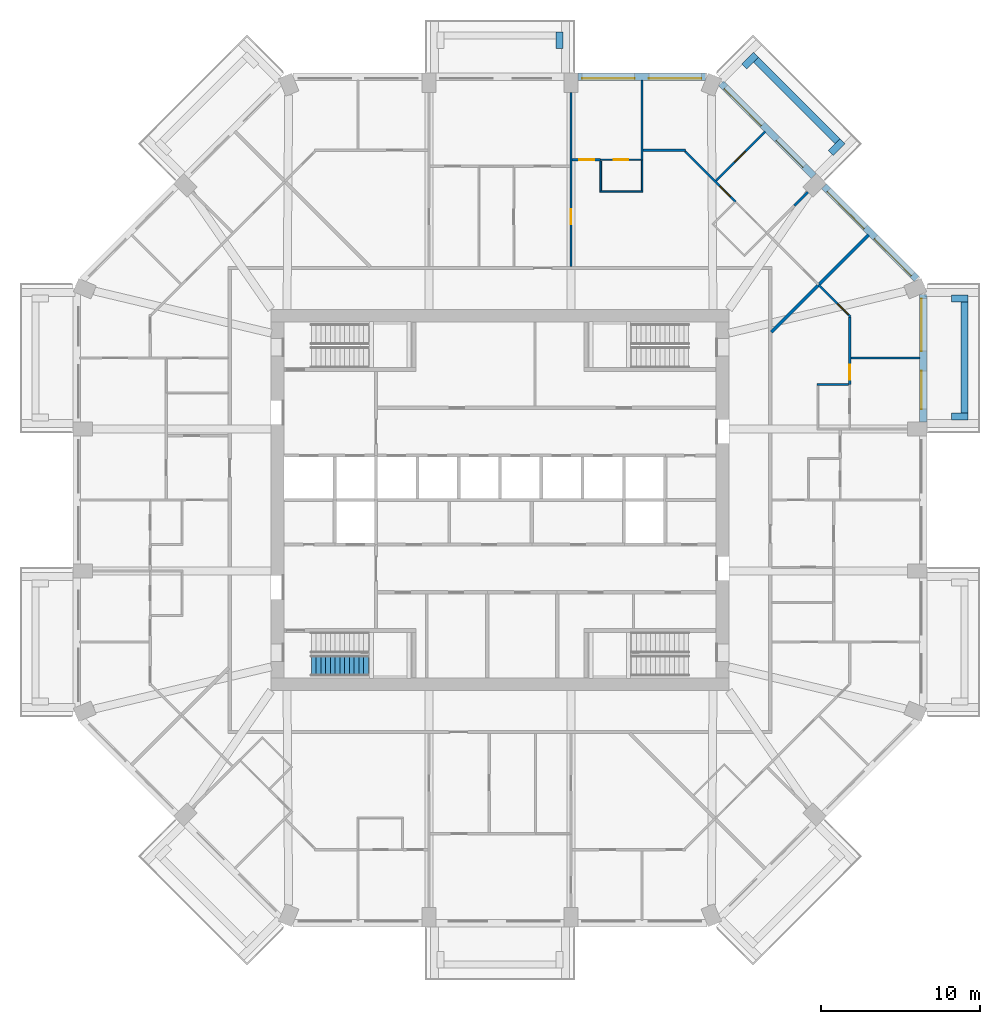
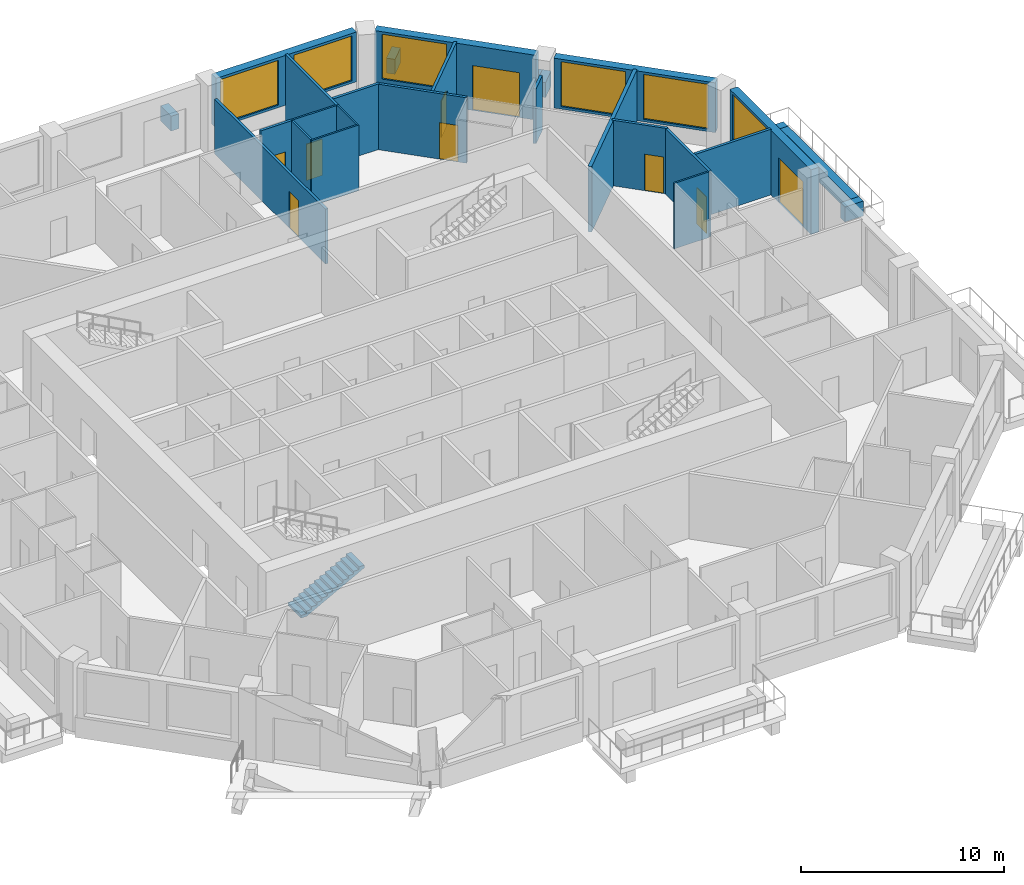
# One storey, part 10 of 13: 27 walls, 9 doors, 6 windows, 1 stair flight, 15 openings, 1 element without a shape of its own.
"""IFC4 building model written with IfcOpenShell, lengths in metres."""

from ifc_helpers import new_model, si_unit, direction, frame, frame_2d, origin, place, context, subcontext, project, spatial, polyline, rectangle, outline, extrude, material, layer, layer_set, type_object, element, fill, aggregate, save


model = new_model("IFC4")

# Units and contexts
model_context = context("Model", 3, precision=1e-05, world=origin(), true_north=direction((0.0, 1.0)))
body_context = subcontext(model_context, "Body", "Model", "MODEL_VIEW")
ifc_project = project(units=[si_unit("LENGTHUNIT", "METRE"), si_unit("AREAUNIT", "SQUARE_METRE"), si_unit("VOLUMEUNIT", "CUBIC_METRE"), si_unit("PLANEANGLEUNIT", "RADIAN"), si_unit("MASSUNIT", "GRAM", prefix="KILO")], contexts=[model_context])

# Site, building, storey
site_placement = place(None, origin())
site = spatial("IfcSite", under=ifc_project, at=site_placement, CompositionType="ELEMENT")
building_placement = place(site_placement, origin())
building = spatial("IfcBuilding", under=site, at=building_placement, Name="Msitu Wima Residences", CompositionType="ELEMENT")
storey_placement = place(building_placement, frame((0.0, 0.0, 135.89990234375)))
storey = spatial("IfcBuildingStorey", under=building, at=storey_placement, Name="L31", CompositionType="ELEMENT", Elevation=135.89990234375)

# Walls
ifc_material_1 = material(Name="Facing brick")
ifc_layer_1 = layer(ifc_material_1, 0.06494140625, Name="Facing brick")
ifc_material_2 = material(Name="Concrete C40/50", Category="concrete")
ifc_layer_2 = layer(ifc_material_2, 0.156005859375, Name="Concrete C40/50")
ifc_material_3 = material(Name="Waterproofing membrane")
ifc_layer_3 = layer(ifc_material_3, 0.00390625, Name="Waterproofing membrane")
ifc_material_4 = material(Name="Planting soil and planting")
ifc_layer_4 = layer(ifc_material_4, 0.22509765625, Name="Planting soil and planting")
ifc_layer_set_1 = layer_set([ifc_layer_1, ifc_layer_2, ifc_layer_3, ifc_layer_4], Name="Concrete C40/50")
wall_type_1 = type_object("IfcWallType", Name="Balcony planter PLANTER PL450", PredefinedType="USERDEFINED", material=ifc_layer_set_1)
wall_1_placement = place(storey_placement, frame((29.22509765625, 5.468505859375, 0.0), z_axis=(0.0, 0.0, 1.0), x_axis=(0.0, 1.0, 0.0)))
element("IfcWall", 1, at=wall_1_placement, inside=storey, type_object=wall_type_1, Name="Balcony planter E2 L31", ObjectType="PLANTER", PredefinedType="USERDEFINED", context=body_context, shape_type="SweptSolid", body=[
    extrude(rectangle(XDim=6.9873046875, YDim=0.449951171875, at=frame_2d((3.49365234375, 0.0))), origin(), (0.0, 0.0, 1.0), 0.900146484375),
])
for number, where, z_axis, x_axis, name in (
    (2, (28.39990234375, 5.24365234375, 0.0), (0.0, 0.0, 1.0), (1.0, 0.0, 0.0), "Balcony planter E2 L31"),
    (3, (28.39990234375, 12.680908203125, 0.0), (0.0, 0.0, 1.0), (1.0, 0.0, 0.0), "Balcony planter E2 L31"),
):
    element("IfcWall", number, at=place(storey_placement, frame(where, z_axis=z_axis, x_axis=x_axis)), inside=storey, type_object=wall_type_1, Name=name, ObjectType="PLANTER", PredefinedType="USERDEFINED", context=body_context, shape_type="SweptSolid", body=[
        extrude(rectangle(XDim=1.050048828125, YDim=0.449951171875, at=frame_2d((0.52490234375, 0.0))), origin(), (0.0, 0.0, 1.0), 0.900146484375),
    ])
wall_2_placement = place(storey_placement, frame((21.228759765625, 22.572265625, 0.0), z_axis=(0.0, 0.0, 1.0), x_axis=(-0.707106781187, 0.707106781187, 0.0)))
element("IfcWall", 4, at=wall_2_placement, inside=storey, type_object=wall_type_1, Name="Balcony planter NE1 L31", ObjectType="PLANTER", PredefinedType="USERDEFINED", context=body_context, shape_type="SweptSolid", body=[
    extrude(rectangle(XDim=7.23828125, YDim=0.449951171875, at=frame_2d((3.619140625, 0.0))), origin(), (0.0, 0.0, 1.0), 0.900146484375),
])
for number, where, z_axis, x_axis, name in (
    (5, (20.804443359375, 21.829833984375, 0.0), (0.0, 0.0, 1.0), (0.707106781187, 0.707106781187, 0.0), "Balcony planter NE1 L31"),
    (6, (15.3681640625, 27.26611328125, 0.0), (0.0, 0.0, 1.0), (0.706990528533, 0.707223014731, 0.0), "Balcony planter NE1 L31"),
    (7, (3.74365234375, 28.39990234375, 0.0), (0.0, 0.0, 1.0), (0.0, 1.0, 0.0), "Balcony planter N1 L31"),
):
    element("IfcWall", number, at=place(storey_placement, frame(where, z_axis=z_axis, x_axis=x_axis)), inside=storey, type_object=wall_type_1, Name=name, ObjectType="PLANTER", PredefinedType="USERDEFINED", context=body_context, shape_type="SweptSolid", body=[
        extrude(rectangle(XDim=1.050048828125, YDim=0.449951171875, at=frame_2d((0.52490234375, 0.0))), origin(), (0.0, 0.0, 1.0), 0.900146484375),
    ])

# Wall, openings, door, window
ifc_material_5 = material(Name="Brick (red buff mix)", Category="masonry")
ifc_layer_5 = layer(ifc_material_5, 0.449951171875)
ifc_layer_set_2 = layer_set([ifc_layer_5], Name="Brick (red buff mix)")
wall_type_2 = type_object("IfcWallType", Name="Brick infill wall BW450", PredefinedType="SOLIDWALL", material=ifc_layer_set_2)
wall_3_placement = place(storey_placement, frame((26.625, 4.918701171875, 0.0), z_axis=(0.0, 0.0, 1.0), x_axis=(0.0, 1.0, 0.0)))
wall_3 = element("IfcWall", 8, at=wall_3_placement, inside=storey, type_object=wall_type_2, Name="Brick infill wall L31 E2", PredefinedType="SOLIDWALL", context=body_context, shape_type="SweptSolid", body=[
    extrude(rectangle(XDim=8.0, YDim=0.449951171875, at=frame_2d((4.0, 0.0))), origin(), (0.0, 0.0, 1.0), 3.900146484375),
])
opening_1_placement = place(wall_3_placement, frame((0.800048828125, 0.0, 0.0)))
opening_1 = element("IfcOpeningElement", 9, at=opening_1_placement, cuts=wall_3, Name="Opening D30-32.002", PredefinedType="OPENING", context=body_context, shape_type="SweptSolid", body=[
    extrude(rectangle(XDim=2.39990234375, YDim=2.699951171875, at=frame_2d((1.199951171875, 1.35009765625))), frame((0.0, 0.23486328125, 0.0), z_axis=(0.0, -1.0, 0.0), x_axis=(1.0, 0.0, 0.0)), (0.0, 0.0, 1.0), 0.469970703125),
])
opening_2_placement = place(wall_3_placement, frame((4.4501953125, 0.0, 1.050048828125)))
opening_2 = element("IfcOpeningElement", 10, at=opening_2_placement, cuts=wall_3, Name="Opening W30-32.004", PredefinedType="OPENING", context=body_context, shape_type="SweptSolid", body=[
    extrude(rectangle(XDim=3.300048828125, YDim=2.699951171875, at=frame_2d((1.64990234375, 1.35009765625))), frame((0.0, 0.23486328125, 0.0), z_axis=(0.0, -1.0, 0.0), x_axis=(1.0, 0.0, 0.0)), (0.0, 0.0, 1.0), 0.469970703125),
])
ifc_material_6 = material(Name="Anodised aluminium, bronze finish, clear low-emissivity double glazing", Category="aluminium")
door_type_1 = type_object("IfcDoorType", Name="Balcony door D2400x2700", OperationType="SLIDING_TO_LEFT", PredefinedType="DOOR", material=ifc_material_6)
door_1_placement = place(opening_1_placement, origin())
door_1 = element("IfcDoor", 11, at=door_1_placement, inside=storey, type_object=door_type_1, Name="Balcony door L31 E2", OperationType="SINGLE_SWING_LEFT", OverallHeight=2.699951171875, OverallWidth=2.39990234375, PredefinedType="DOOR", context=body_context, shape_type="SweptSolid", body=[
    extrude(rectangle(XDim=2.39990234375, YDim=2.699951171875, at=frame_2d((1.199951171875, 1.35009765625))), frame((0.0, 0.1298828125, 0.0), z_axis=(0.0, -1.0, 0.0), x_axis=(1.0, 0.0, 0.0)), (0.0, 0.0, 1.0), 0.050048828125),
])
fill(opening_1, door_1)
window_type = type_object("IfcWindowType", Name="Window W3300x2700", PartitioningType="DOUBLE_PANEL_VERTICAL", PredefinedType="WINDOW", material=ifc_material_6)
window_1_placement = place(opening_2_placement, origin())
window_1 = element("IfcWindow", 12, at=window_1_placement, inside=storey, type_object=window_type, Name="Window L31 E2.2", OverallHeight=2.699951171875, OverallWidth=3.300048828125, PartitioningType="SINGLE_PANEL", PredefinedType="WINDOW", context=body_context, shape_type="SweptSolid", body=[
    extrude(rectangle(XDim=3.300048828125, YDim=2.699951171875, at=frame_2d((1.64990234375, 1.35009765625))), frame((0.0, 0.135009765625, 0.0), z_axis=(0.0, -1.0, 0.0), x_axis=(1.0, 0.0, 0.0)), (0.0, 0.0, 1.0), 0.06005859375),
])
fill(opening_2, window_1)

# Wall, openings, windows
wall_4_placement = place(storey_placement, frame((26.214599609375, 13.909423828125, 0.900146484375), z_axis=(0.0, 0.0, 1.0), x_axis=(-0.707106781187, 0.707106781187, 0.0)))
wall_4 = element("IfcWall", 13, at=wall_4_placement, inside=storey, type_object=wall_type_2, Name="Brick infill wall L31 NE0", PredefinedType="SOLIDWALL", context=body_context, shape_type="SweptSolid", body=[
    extrude(rectangle(XDim=8.251220703125, YDim=0.449951171875, at=frame_2d((4.12548828125, 0.0))), origin(), (0.0, 0.0, 1.0), 3.0),
])
opening_3_placement = place(wall_4_placement, frame((0.37548828125, 0.0, 0.14990234375)))
opening_3 = element("IfcOpeningElement", 14, at=opening_3_placement, cuts=wall_4, Name="Opening W30-32.010", PredefinedType="OPENING", context=body_context, shape_type="SweptSolid", body=[
    extrude(rectangle(XDim=3.300048828125, YDim=2.699951171875, at=frame_2d((1.64990234375, 1.35009765625))), frame((0.0, 0.23486328125, 0.0), z_axis=(0.0, -1.0, 0.0), x_axis=(1.0, 0.0, 0.0)), (0.0, 0.0, 1.0), 0.469970703125),
])
opening_4_placement = place(wall_4_placement, frame((4.57568359375, 0.0, 0.14990234375)))
opening_4 = element("IfcOpeningElement", 15, at=opening_4_placement, cuts=wall_4, Name="Opening W30-32.011", PredefinedType="OPENING", context=body_context, shape_type="SweptSolid", body=[
    extrude(rectangle(XDim=3.300048828125, YDim=2.699951171875, at=frame_2d((1.64990234375, 1.35009765625))), frame((0.0, 0.23486328125, 0.0), z_axis=(0.0, -1.0, 0.0), x_axis=(1.0, 0.0, 0.0)), (0.0, 0.0, 1.0), 0.469970703125),
])
window_2_placement = place(opening_3_placement, origin())
window_2 = element("IfcWindow", 16, at=window_2_placement, inside=storey, type_object=window_type, Name="Window L31 NE0.1", OverallHeight=2.699951171875, OverallWidth=3.300048828125, PartitioningType="SINGLE_PANEL", PredefinedType="WINDOW", context=body_context, shape_type="SweptSolid", body=[
    extrude(rectangle(XDim=3.300048828125, YDim=2.699951171875, at=frame_2d((1.64990234375, 1.35009765625))), frame((0.0, 0.135009765625, 0.0), z_axis=(0.0, -1.0, 0.0), x_axis=(1.0, 0.0, 0.0)), (0.0, 0.0, 1.0), 0.06005859375),
])
fill(opening_3, window_2)
window_3_placement = place(opening_4_placement, origin())
window_3 = element("IfcWindow", 17, at=window_3_placement, inside=storey, type_object=window_type, Name="Window L31 NE0.2", OverallHeight=2.699951171875, OverallWidth=3.300048828125, PartitioningType="SINGLE_PANEL", PredefinedType="WINDOW", context=body_context, shape_type="SweptSolid", body=[
    extrude(rectangle(XDim=3.300048828125, YDim=2.699951171875, at=frame_2d((1.64990234375, 1.35009765625))), frame((0.0, 0.135009765625, 0.0), z_axis=(0.0, -1.0, 0.0), x_axis=(1.0, 0.0, 0.0)), (0.0, 0.0, 1.0), 0.06005859375),
])
fill(opening_4, window_3)

# Wall, openings, door, window
wall_5_placement = place(storey_placement, frame((19.743896484375, 20.380126953125, 0.0), z_axis=(0.0, 0.0, 1.0), x_axis=(-0.707106781187, 0.707106781187, 0.0)))
wall_5 = element("IfcWall", 18, at=wall_5_placement, inside=storey, type_object=wall_type_2, Name="Brick infill wall L31 NE1", PredefinedType="SOLIDWALL", context=body_context, shape_type="SweptSolid", body=[
    extrude(rectangle(XDim=8.251220703125, YDim=0.449951171875, at=frame_2d((4.12548828125, 0.0))), origin(), (0.0, 0.0, 1.0), 3.900146484375),
])
opening_5_placement = place(wall_5_placement, frame((0.86279296875, 0.0, 0.0)))
opening_5 = element("IfcOpeningElement", 19, at=opening_5_placement, cuts=wall_5, Name="Opening D30-32.004", PredefinedType="OPENING", context=body_context, shape_type="SweptSolid", body=[
    extrude(rectangle(XDim=2.39990234375, YDim=2.699951171875, at=frame_2d((1.199951171875, 1.35009765625))), frame((0.0, 0.23486328125, 0.0), z_axis=(0.0, -1.0, 0.0), x_axis=(1.0, 0.0, 0.0)), (0.0, 0.0, 1.0), 0.469970703125),
])
opening_6_placement = place(wall_5_placement, frame((4.57568359375, 0.0, 1.050048828125)))
opening_6 = element("IfcOpeningElement", 20, at=opening_6_placement, cuts=wall_5, Name="Opening W30-32.012", PredefinedType="OPENING", context=body_context, shape_type="SweptSolid", body=[
    extrude(rectangle(XDim=3.300048828125, YDim=2.699951171875, at=frame_2d((1.64990234375, 1.35009765625))), frame((0.0, 0.23486328125, 0.0), z_axis=(0.0, -1.0, 0.0), x_axis=(1.0, 0.0, 0.0)), (0.0, 0.0, 1.0), 0.469970703125),
])
door_2_placement = place(opening_5_placement, origin())
door_2 = element("IfcDoor", 21, at=door_2_placement, inside=storey, type_object=door_type_1, Name="Balcony door L31 NE1", OperationType="SINGLE_SWING_LEFT", OverallHeight=2.699951171875, OverallWidth=2.39990234375, PredefinedType="DOOR", context=body_context, shape_type="SweptSolid", body=[
    extrude(rectangle(XDim=2.39990234375, YDim=2.699951171875, at=frame_2d((1.199951171875, 1.35009765625))), frame((0.0, 0.1298828125, 0.0), z_axis=(0.0, -1.0, 0.0), x_axis=(1.0, 0.0, 0.0)), (0.0, 0.0, 1.0), 0.050048828125),
])
fill(opening_5, door_2)
window_4_placement = place(opening_6_placement, origin())
window_4 = element("IfcWindow", 22, at=window_4_placement, inside=storey, type_object=window_type, Name="Window L31 NE1.2", OverallHeight=2.699951171875, OverallWidth=3.300048828125, PartitioningType="SINGLE_PANEL", PredefinedType="WINDOW", context=body_context, shape_type="SweptSolid", body=[
    extrude(rectangle(XDim=3.300048828125, YDim=2.699951171875, at=frame_2d((1.64990234375, 1.35009765625))), frame((0.0, 0.135009765625, 0.0), z_axis=(0.0, -1.0, 0.0), x_axis=(1.0, 0.0, 0.0)), (0.0, 0.0, 1.0), 0.06005859375),
])
fill(opening_6, window_4)

# Wall, openings, windows
wall_6_placement = place(storey_placement, frame((12.918701171875, 26.625, 0.900146484375), z_axis=(0.0, 0.0, 1.0), x_axis=(-1.0, 0.0, 0.0)))
wall_6 = element("IfcWall", 23, at=wall_6_placement, inside=storey, type_object=wall_type_2, Name="Brick infill wall L31 N0", PredefinedType="SOLIDWALL", context=body_context, shape_type="SweptSolid", body=[
    extrude(rectangle(XDim=8.0, YDim=0.449951171875, at=frame_2d((4.0, 0.0))), origin(), (0.0, 0.0, 1.0), 3.0),
])
opening_7_placement = place(wall_6_placement, frame((0.25, 0.0, 0.14990234375)))
opening_7 = element("IfcOpeningElement", 24, at=opening_7_placement, cuts=wall_6, Name="Opening W30-32.005", PredefinedType="OPENING", context=body_context, shape_type="SweptSolid", body=[
    extrude(rectangle(XDim=3.300048828125, YDim=2.699951171875, at=frame_2d((1.64990234375, 1.35009765625))), frame((0.0, 0.23486328125, 0.0), z_axis=(0.0, -1.0, 0.0), x_axis=(1.0, 0.0, 0.0)), (0.0, 0.0, 1.0), 0.469970703125),
])
opening_8_placement = place(wall_6_placement, frame((4.4501953125, 0.0, 0.14990234375)))
opening_8 = element("IfcOpeningElement", 25, at=opening_8_placement, cuts=wall_6, Name="Opening W30-32.006", PredefinedType="OPENING", context=body_context, shape_type="SweptSolid", body=[
    extrude(rectangle(XDim=3.300048828125, YDim=2.699951171875, at=frame_2d((1.64990234375, 1.35009765625))), frame((0.0, 0.23486328125, 0.0), z_axis=(0.0, -1.0, 0.0), x_axis=(1.0, 0.0, 0.0)), (0.0, 0.0, 1.0), 0.469970703125),
])
window_5_placement = place(opening_7_placement, origin())
window_5 = element("IfcWindow", 26, at=window_5_placement, inside=storey, type_object=window_type, Name="Window L31 N0.1", OverallHeight=2.699951171875, OverallWidth=3.300048828125, PartitioningType="SINGLE_PANEL", PredefinedType="WINDOW", context=body_context, shape_type="SweptSolid", body=[
    extrude(rectangle(XDim=3.300048828125, YDim=2.699951171875, at=frame_2d((1.64990234375, 1.35009765625))), frame((0.0, 0.135009765625, 0.0), z_axis=(0.0, -1.0, 0.0), x_axis=(1.0, 0.0, 0.0)), (0.0, 0.0, 1.0), 0.06005859375),
])
fill(opening_7, window_5)
window_6_placement = place(opening_8_placement, origin())
window_6 = element("IfcWindow", 27, at=window_6_placement, inside=storey, type_object=window_type, Name="Window L31 N0.2", OverallHeight=2.699951171875, OverallWidth=3.300048828125, PartitioningType="SINGLE_PANEL", PredefinedType="WINDOW", context=body_context, shape_type="SweptSolid", body=[
    extrude(rectangle(XDim=3.300048828125, YDim=2.699951171875, at=frame_2d((1.64990234375, 1.35009765625))), frame((0.0, 0.135009765625, 0.0), z_axis=(0.0, -1.0, 0.0), x_axis=(1.0, 0.0, 0.0)), (0.0, 0.0, 1.0), 0.06005859375),
])
fill(opening_8, window_6)

# Wall, opening, door
ifc_material_7 = material(Name="Plaster")
ifc_layer_6 = layer(ifc_material_7, 0.011962890625, Name="Plaster")
ifc_material_8 = material(Name="Concrete blockwork", Category="masonry")
ifc_layer_7 = layer(ifc_material_8, 0.1259765625, Name="Concrete blockwork")
ifc_layer_8 = layer(ifc_material_7, 0.011962890625, Name="Plaster")
ifc_layer_set_3 = layer_set([ifc_layer_6, ifc_layer_7, ifc_layer_8], Name="Concrete blockwork")
wall_type_3 = type_object("IfcWallType", Name="Partition PW150", PredefinedType="PARTITIONING", material=ifc_layer_set_3)
wall_7_placement = place(storey_placement, frame((4.46875, 14.699951171875, 0.0), z_axis=(0.0, 0.0, 1.0), x_axis=(0.0, 1.0, 0.0)))
wall_7 = element("IfcWall", 28, at=wall_7_placement, inside=storey, type_object=wall_type_3, Name="Partition", PredefinedType="PARTITIONING", context=body_context, shape_type="SweptSolid", body=[
    extrude(rectangle(XDim=10.949951171875, YDim=0.14990234375, at=frame_2d((5.47509765625, 0.0))), origin(), (0.0, 0.0, 1.0), 3.300048828125),
])
opening_9_placement = place(wall_7_placement, frame((2.64990234375, 0.0, 0.0)))
opening_9 = element("IfcOpeningElement", 29, at=opening_9_placement, cuts=wall_7, Name="Opening D30-32.040", PredefinedType="OPENING", context=body_context, shape_type="SweptSolid", body=[
    extrude(rectangle(XDim=0.949951171875, YDim=2.199951171875, at=frame_2d((0.47509765625, 1.10009765625))), frame((0.0, 0.0849609375, 0.0), z_axis=(0.0, -1.0, 0.0), x_axis=(1.0, 0.0, 0.0)), (0.0, 0.0, 1.0), 0.169921875),
])
ifc_material_9 = material(Name="Timber flush door", Category="wood")
door_type_2 = type_object("IfcDoorType", Name="Room door D12 950x2200", OperationType="SINGLE_SWING_LEFT", PredefinedType="DOOR", material=ifc_material_9)
door_3_placement = place(opening_9_placement, origin())
door_3 = element("IfcDoor", 30, at=door_3_placement, inside=storey, type_object=door_type_2, Name="Room door", OperationType="SINGLE_SWING_RIGHT", OverallHeight=2.199951171875, OverallWidth=0.949951171875, PredefinedType="DOOR", context=body_context, shape_type="SweptSolid", body=[
    extrude(rectangle(XDim=0.949951171875, YDim=2.199951171875, at=frame_2d((0.47509765625, 1.10009765625))), frame((0.0, 0.02490234375, 0.0), z_axis=(0.0, -1.0, 0.0), x_axis=(1.0, 0.0, 0.0)), (0.0, 0.0, 1.0), 0.050048828125),
])
fill(opening_9, door_3)

wall_8_placement = place(storey_placement, frame((4.543701171875, 21.39990234375, 0.0), z_axis=(0.0, 0.0, 1.0), x_axis=(1.0, 0.0, 0.0)))
wall_8 = element("IfcWall", 31, at=wall_8_placement, inside=storey, type_object=wall_type_3, Name="Partition", PredefinedType="PARTITIONING", context=body_context, shape_type="SweptSolid", body=[
    extrude(rectangle(XDim=1.7734375, YDim=0.14990234375, at=frame_2d((0.88671875, 0.0))), origin(), (0.0, 0.0, 1.0), 3.9501953125),
])
opening_10_placement = place(wall_8_placement, frame((0.449951171875, 0.0, 0.0)))
opening_10 = element("IfcOpeningElement", 32, at=opening_10_placement, cuts=wall_8, Name="Opening D30-32.090", PredefinedType="OPENING", context=body_context, shape_type="SweptSolid", body=[
    extrude(rectangle(XDim=0.949951171875, YDim=2.199951171875, at=frame_2d((0.47509765625, 1.10009765625))), frame((0.0, 0.0849609375, 0.0), z_axis=(0.0, -1.0, 0.0), x_axis=(1.0, 0.0, 0.0)), (0.0, 0.0, 1.0), 0.169921875),
])
door_4_placement = place(opening_10_placement, origin())
door_4 = element("IfcDoor", 33, at=door_4_placement, inside=storey, type_object=door_type_2, Name="Room door", OperationType="SINGLE_SWING_LEFT", OverallHeight=2.199951171875, OverallWidth=0.949951171875, PredefinedType="DOOR", context=body_context, shape_type="SweptSolid", body=[
    extrude(rectangle(XDim=0.949951171875, YDim=2.199951171875, at=frame_2d((0.47509765625, 1.10009765625))), frame((0.0, 0.02490234375, 0.0), z_axis=(0.0, -1.0, 0.0), x_axis=(1.0, 0.0, 0.0)), (0.0, 0.0, 1.0), 0.050048828125),
])
fill(opening_10, door_4)

# Walls
wall_9_placement = place(storey_placement, frame((8.937255859375, 21.3798828125, 0.0), z_axis=(0.0, 0.0, 1.0), x_axis=(0.0, 1.0, 0.0)))
element("IfcWall", 34, at=wall_9_placement, inside=storey, type_object=wall_type_3, Name="Partition", PredefinedType="PARTITIONING", context=body_context, shape_type="SweptSolid", body=[
    extrude(rectangle(XDim=5.045166015625, YDim=0.14990234375, at=frame_2d((2.5224609375, 0.0))), origin(), (0.0, 0.0, 1.0), 3.9501953125),
])
wall_10_placement = place(storey_placement, frame((9.01220703125, 22.0, 0.0), z_axis=(0.0, 0.0, 1.0), x_axis=(1.0, 0.0, 0.0)))
element("IfcWall", 35, at=wall_10_placement, inside=storey, type_object=wall_type_3, Name="Partition", PredefinedType="PARTITIONING", context=body_context, shape_type="SweptSolid", body=[
    extrude(rectangle(XDim=2.646240234375, YDim=0.14990234375, at=frame_2d((1.3232421875, 0.0))), origin(), (0.0, 0.0, 1.0), 3.9501953125),
])

# Wall, opening, door
wall_11_placement = place(storey_placement, frame((11.636474609375, 21.947021484375, 0.0), z_axis=(0.0, 0.0, 1.0), x_axis=(0.707079597841, -0.707133963487, 0.0)))
wall_11 = element("IfcWall", 36, at=wall_11_placement, inside=storey, type_object=wall_type_3, Name="Partition", PredefinedType="PARTITIONING", context=body_context, shape_type="SweptSolid", body=[
    extrude(rectangle(XDim=4.49072265625, YDim=0.14990234375, at=frame_2d((2.245361328125, 0.0))), origin(), (0.0, 0.0, 1.0), 3.9501953125),
])
opening_11_placement = place(wall_11_placement, frame((3.10009765625, 0.0, 0.0)))
opening_11 = element("IfcOpeningElement", 37, at=opening_11_placement, cuts=wall_11, Name="Opening D30-32.084", PredefinedType="OPENING", context=body_context, shape_type="SweptSolid", body=[
    extrude(rectangle(XDim=0.949951171875, YDim=2.199951171875, at=frame_2d((0.47509765625, 1.10009765625))), frame((0.0, 0.0849609375, 0.0), z_axis=(0.0, -1.0, 0.0), x_axis=(1.0, 0.0, 0.0)), (0.0, 0.0, 1.0), 0.169921875),
])
door_5_placement = place(opening_11_placement, origin())
door_5 = element("IfcDoor", 38, at=door_5_placement, inside=storey, type_object=door_type_2, Name="Room door", OperationType="SINGLE_SWING_LEFT", OverallHeight=2.199951171875, OverallWidth=0.949951171875, PredefinedType="DOOR", context=body_context, shape_type="SweptSolid", body=[
    extrude(rectangle(XDim=0.949951171875, YDim=2.199951171875, at=frame_2d((0.47509765625, 1.10009765625))), frame((0.0, 0.02490234375, 0.0), z_axis=(0.0, -1.0, 0.0), x_axis=(1.0, 0.0, 0.0)), (0.0, 0.0, 1.0), 0.050048828125),
])
fill(opening_11, door_5)

wall_12_placement = place(storey_placement, frame((13.59619140625, 20.09326171875, 0.0), z_axis=(0.0, 0.0, 1.0), x_axis=(0.707106781187, 0.707106781187, 0.0)))
wall_12 = element("IfcWall", 39, at=wall_12_placement, inside=storey, type_object=wall_type_3, Name="Partition", PredefinedType="PARTITIONING", context=body_context, shape_type="SweptSolid", body=[
    extrude(rectangle(XDim=4.380126953125, YDim=0.14990234375, at=frame_2d((2.18994140625, 0.0))), origin(), (0.0, 0.0, 1.0), 3.9501953125),
])
opening_12_placement = place(wall_12_placement, frame((1.64990234375, 0.0, 0.0)))
opening_12 = element("IfcOpeningElement", 40, at=opening_12_placement, cuts=wall_12, Name="Opening D30-32.092", PredefinedType="OPENING", context=body_context, shape_type="SweptSolid", body=[
    extrude(rectangle(XDim=0.949951171875, YDim=2.199951171875, at=frame_2d((0.47509765625, 1.10009765625))), frame((0.0, 0.0849609375, 0.0), z_axis=(0.0, -1.0, 0.0), x_axis=(1.0, 0.0, 0.0)), (0.0, 0.0, 1.0), 0.169921875),
])
door_6_placement = place(opening_12_placement, origin())
door_6 = element("IfcDoor", 41, at=door_6_placement, inside=storey, type_object=door_type_2, Name="Room door", OperationType="SINGLE_SWING_LEFT", OverallHeight=2.199951171875, OverallWidth=0.949951171875, PredefinedType="DOOR", context=body_context, shape_type="SweptSolid", body=[
    extrude(rectangle(XDim=0.949951171875, YDim=2.199951171875, at=frame_2d((0.47509765625, 1.10009765625))), frame((0.0, 0.02490234375, 0.0), z_axis=(0.0, -1.0, 0.0), x_axis=(1.0, 0.0, 0.0)), (0.0, 0.0, 1.0), 0.050048828125),
])
fill(opening_12, door_6)

# Wall
wall_13_placement = place(storey_placement, frame((18.517578125, 18.517578125, 0.0), z_axis=(0.0, 0.0, 1.0), x_axis=(0.707106781187, 0.707106781187, 0.0)))
element("IfcWall", 42, at=wall_13_placement, inside=storey, type_object=wall_type_3, Name="Partition", PredefinedType="PARTITIONING", context=body_context, shape_type="SweptSolid", body=[
    extrude(rectangle(XDim=1.209228515625, YDim=0.14990234375, at=frame_2d((0.6044921875, 0.0))), origin(), (0.0, 0.0, 1.0), 3.300048828125),
])

# Wall, opening, door
wall_14_placement = place(storey_placement, frame((20.040283203125, 13.543212890625, 0.0), z_axis=(0.0, 0.0, 1.0), x_axis=(0.707063896341, -0.707149663432, 0.0)))
wall_14 = element("IfcWall", 43, at=wall_14_placement, inside=storey, type_object=wall_type_3, Name="Partition", PredefinedType="PARTITIONING", context=body_context, shape_type="SweptSolid", body=[
    extrude(rectangle(XDim=2.846435546875, YDim=0.14990234375, at=frame_2d((1.42333984375, 0.0))), origin(), (0.0, 0.0, 1.0), 3.9501953125),
])
opening_13_placement = place(wall_14_placement, frame((1.699951171875, 0.0, 0.0)))
opening_13 = element("IfcOpeningElement", 44, at=opening_13_placement, cuts=wall_14, Name="Opening D30-32.088", PredefinedType="OPENING", context=body_context, shape_type="SweptSolid", body=[
    extrude(rectangle(XDim=0.949951171875, YDim=2.199951171875, at=frame_2d((0.47509765625, 1.10009765625))), frame((0.0, 0.0849609375, 0.0), z_axis=(0.0, -1.0, 0.0), x_axis=(1.0, 0.0, 0.0)), (0.0, 0.0, 1.0), 0.169921875),
])
door_7_placement = place(opening_13_placement, origin())
door_7 = element("IfcDoor", 45, at=door_7_placement, inside=storey, type_object=door_type_2, Name="Room door", OperationType="SINGLE_SWING_LEFT", OverallHeight=2.199951171875, OverallWidth=0.949951171875, PredefinedType="DOOR", context=body_context, shape_type="SweptSolid", body=[
    extrude(rectangle(XDim=0.949951171875, YDim=2.199951171875, at=frame_2d((0.47509765625, 1.10009765625))), frame((0.0, 0.02490234375, 0.0), z_axis=(0.0, -1.0, 0.0), x_axis=(1.0, 0.0, 0.0)), (0.0, 0.0, 1.0), 0.050048828125),
])
fill(opening_13, door_7)

wall_15_placement = place(storey_placement, frame((22.0, 7.2685546875, 0.0), z_axis=(0.0, 0.0, 1.0), x_axis=(0.0, 1.0, 0.0)))
wall_15 = element("IfcWall", 46, at=wall_15_placement, inside=storey, type_object=wall_type_3, Name="Partition", PredefinedType="PARTITIONING", context=body_context, shape_type="SweptSolid", body=[
    extrude(rectangle(XDim=4.23974609375, YDim=0.14990234375, at=frame_2d((2.119873046875, 0.0))), origin(), (0.0, 0.0, 1.0), 3.9501953125),
])
opening_14_placement = place(wall_15_placement, frame((0.300048828125, 0.0, 0.0)))
opening_14 = element("IfcOpeningElement", 47, at=opening_14_placement, cuts=wall_15, Name="Opening D30-32.077", PredefinedType="OPENING", context=body_context, shape_type="SweptSolid", body=[
    extrude(rectangle(XDim=0.949951171875, YDim=2.199951171875, at=frame_2d((0.47509765625, 1.10009765625))), frame((0.0, 0.0849609375, 0.0), z_axis=(0.0, -1.0, 0.0), x_axis=(1.0, 0.0, 0.0)), (0.0, 0.0, 1.0), 0.169921875),
])
door_8_placement = place(opening_14_placement, origin())
door_8 = element("IfcDoor", 48, at=door_8_placement, inside=storey, type_object=door_type_2, Name="Room door", OperationType="SINGLE_SWING_LEFT", OverallHeight=2.199951171875, OverallWidth=0.949951171875, PredefinedType="DOOR", context=body_context, shape_type="SweptSolid", body=[
    extrude(rectangle(XDim=0.949951171875, YDim=2.199951171875, at=frame_2d((0.47509765625, 1.10009765625))), frame((0.0, 0.02490234375, 0.0), z_axis=(0.0, -1.0, 0.0), x_axis=(1.0, 0.0, 0.0)), (0.0, 0.0, 1.0), 0.050048828125),
])
fill(opening_14, door_8)

# Walls
wall_16_placement = place(storey_placement, frame((22.074951171875, 8.937255859375, 0.0), z_axis=(0.0, 0.0, 1.0), x_axis=(1.0, 0.0, 0.0)))
element("IfcWall", 49, at=wall_16_placement, inside=storey, type_object=wall_type_3, Name="Partition", PredefinedType="PARTITIONING", context=body_context, shape_type="SweptSolid", body=[
    extrude(rectangle(XDim=4.35009765625, YDim=0.14990234375, at=frame_2d((2.175048828125, 0.0))), origin(), (0.0, 0.0, 1.0), 3.9501953125),
])
ifc_layer_9 = layer(ifc_material_7, 0.011962890625, Name="Plaster")
ifc_material_10 = material(Name="Dense concrete blockwork", Category="masonry")
ifc_layer_10 = layer(ifc_material_10, 0.176025390625, Name="Dense concrete blockwork")
ifc_layer_11 = layer(ifc_material_7, 0.011962890625, Name="Plaster")
ifc_layer_set_4 = layer_set([ifc_layer_9, ifc_layer_10, ifc_layer_11], Name="Dense concrete blockwork")
wall_type_4 = type_object("IfcWallType", Name="Party wall PW200", PredefinedType="PARTITIONING", material=ifc_layer_set_4)
wall_17_placement = place(storey_placement, frame((17.07080078125, 10.57373046875, 0.0), z_axis=(0.0, 0.0, 1.0), x_axis=(0.707106781187, 0.707106781187, 0.0)))
element("IfcWall", 50, at=wall_17_placement, inside=storey, type_object=wall_type_4, Name="Party wall", PredefinedType="PARTITIONING", context=body_context, shape_type="SweptSolid", body=[
    extrude(rectangle(XDim=8.654541015625, YDim=0.199951171875, at=frame_2d((4.3271484375, 0.0))), origin(), (0.0, 0.0, 1.0), 3.9501953125),
])

# Wall, opening, door
ifc_material_11 = material(Name="Ceramic tiles")
ifc_layer_12 = layer(ifc_material_11, 0.008056640625, Name="Ceramic tiles")
ifc_material_12 = material(Name="Moisture-resistant board")
ifc_layer_13 = layer(ifc_material_12, 0.012451171875, Name="Moisture-resistant board")
ifc_material_13 = material(Name="Light-gauge stud framing with mineral wool")
ifc_layer_14 = layer(ifc_material_13, 0.06689453125, Name="Light-gauge stud framing with mineral wool")
ifc_layer_15 = layer(ifc_material_12, 0.012451171875, Name="Moisture-resistant board")
ifc_layer_set_5 = layer_set([ifc_layer_12, ifc_layer_13, ifc_layer_14, ifc_layer_15], Name="Light-gauge stud framing with mineral wool")
wall_type_5 = type_object("IfcWallType", Name="Wet wall PW100", PredefinedType="PARTITIONING", material=ifc_layer_set_5)
wall_18_placement = place(storey_placement, frame((6.317138671875, 21.39990234375, 0.0), z_axis=(0.0, 0.0, 1.0), x_axis=(1.0, 0.0, 0.0)))
wall_18 = element("IfcWall", 51, at=wall_18_placement, inside=storey, type_object=wall_type_5, Name="Wet wall", PredefinedType="PARTITIONING", context=body_context, shape_type="SweptSolid", body=[
    extrude(rectangle(XDim=2.545166015625, YDim=0.10009765625, at=frame_2d((1.2724609375, 0.0))), origin(), (0.0, 0.0, 1.0), 3.9501953125),
])
opening_15_placement = place(wall_18_placement, frame((0.85009765625, 0.0, 0.0)))
opening_15 = element("IfcOpeningElement", 52, at=opening_15_placement, cuts=wall_18, Name="Opening D30-32.091", PredefinedType="OPENING", context=body_context, shape_type="SweptSolid", body=[
    extrude(rectangle(XDim=0.89990234375, YDim=2.199951171875, at=frame_2d((0.449951171875, 1.10009765625))), frame((0.0, 0.06005859375, 0.0), z_axis=(0.0, -1.0, 0.0), x_axis=(1.0, 0.0, 0.0)), (0.0, 0.0, 1.0), 0.1201171875),
])
ifc_material_14 = material(Name="Timber flush door, moisture resistant", Category="wood")
door_type_3 = type_object("IfcDoorType", Name="Bathroom door D03 900x2200", OperationType="SINGLE_SWING_LEFT", PredefinedType="DOOR", material=ifc_material_14)
door_9_placement = place(opening_15_placement, origin())
door_9 = element("IfcDoor", 53, at=door_9_placement, inside=storey, type_object=door_type_3, Name="Bathroom door", OperationType="SINGLE_SWING_RIGHT", OverallHeight=2.199951171875, OverallWidth=0.89990234375, PredefinedType="DOOR", context=body_context, shape_type="SweptSolid", body=[
    extrude(rectangle(XDim=0.89990234375, YDim=2.199951171875, at=frame_2d((0.449951171875, 1.10009765625))), frame((0.0, 0.02490234375, 0.0), z_axis=(0.0, -1.0, 0.0), x_axis=(1.0, 0.0, 0.0)), (0.0, 0.0, 1.0), 0.050048828125),
])
fill(opening_15, door_9)

# Walls
wall_19_placement = place(storey_placement, frame((6.337158203125, 19.449951171875, 0.0), z_axis=(0.0, 0.0, 1.0), x_axis=(0.0, 1.0, 0.0)))
element("IfcWall", 54, at=wall_19_placement, inside=storey, type_object=wall_type_5, Name="Wet wall", PredefinedType="PARTITIONING", context=body_context, shape_type="SweptSolid", body=[
    extrude(rectangle(XDim=1.875, YDim=0.10009765625, at=frame_2d((0.9375, 0.0))), origin(), (0.0, 0.0, 1.0), 3.9501953125),
])
wall_20_placement = place(storey_placement, frame((6.287353515625, 19.39990234375, 0.0), z_axis=(0.0, 0.0, 1.0), x_axis=(1.0, 0.0, 0.0)))
element("IfcWall", 55, at=wall_20_placement, inside=storey, type_object=wall_type_5, Name="Wet wall", PredefinedType="PARTITIONING", context=body_context, shape_type="SweptSolid", body=[
    extrude(rectangle(XDim=2.699951171875, YDim=0.10009765625, at=frame_2d((1.35009765625, 0.0))), origin(), (0.0, 0.0, 1.0), 3.9501953125),
])
wall_21_placement = place(storey_placement, frame((8.937255859375, 19.449951171875, 0.0), z_axis=(0.0, 0.0, 1.0), x_axis=(0.0, 1.0, 0.0)))
element("IfcWall", 56, at=wall_21_placement, inside=storey, type_object=wall_type_5, Name="Wet wall", PredefinedType="PARTITIONING", context=body_context, shape_type="SweptSolid", body=[
    extrude(rectangle(XDim=1.929931640625, YDim=0.10009765625, at=frame_2d((0.96484375, 0.0))), origin(), (0.0, 0.0, 1.0), 3.9501953125),
])
wall_22_placement = place(storey_placement, frame((19.949951171875, 7.2685546875, 0.0), z_axis=(0.0, 0.0, 1.0), x_axis=(1.0, 0.0, 0.0)))
element("IfcWall", 57, at=wall_22_placement, inside=storey, type_object=wall_type_5, Name="Wet wall", PredefinedType="PARTITIONING", context=body_context, shape_type="SweptSolid", body=[
    extrude(rectangle(XDim=1.97509765625, YDim=0.10009765625, at=frame_2d((0.987548828125, 0.0))), origin(), (0.0, 0.0, 1.0), 3.9501953125),
])

# Stair, stair flight
stair_type = type_object("IfcStairType", Name="Exit stair ES1615-130", PredefinedType="HALF_TURN_STAIR", material=ifc_material_2)
stair_placement = place(storey_placement, origin())
stair = element("IfcStair", 58, at=stair_placement, inside=storey, type_object=stair_type, Name="Exit stair 2", PredefinedType="HALF_TURN_STAIR")
stair_flight_type = type_object("IfcStairFlightType", Name="Exit stair flight ES1615-130", PredefinedType="STRAIGHT", material=ifc_material_2)
stair_flight_placement = place(storey_placement, frame((-11.875, -10.425048828125, 0.0), z_axis=(0.0, 0.0, 1.0), x_axis=(1.0, 0.0, 0.0)))
stair_flight = element("IfcStairFlight", 59, at=stair_flight_placement, type_object=stair_flight_type, Name="S2 flight 1", NumberOfRisers=13, NumberOfTreads=12, PredefinedType="STRAIGHT", RiserHeight=0.161538462, TreadLength=0.3, context=body_context, shape_type="SweptSolid", body=[
    extrude(outline(polyline([(0.0, 0.0), (0.0, 0.16162109375), (0.300048828125, 0.16162109375), (0.300048828125, 0.322998046875), (0.60009765625, 0.322998046875), (0.60009765625, 0.484619140625), (0.89990234375, 0.484619140625), (0.89990234375, 0.646240234375), (1.199951171875, 0.646240234375), (1.199951171875, 0.8076171875), (1.5, 0.8076171875), (1.5, 0.96923828125), (1.800048828125, 0.96923828125), (1.800048828125, 1.130859375), (2.10009765625, 1.130859375), (2.10009765625, 1.292236328125), (2.39990234375, 1.292236328125), (2.39990234375, 1.453857421875), (2.699951171875, 1.453857421875), (2.699951171875, 1.615478515625), (3.0, 1.615478515625), (3.0, 1.77685546875), (3.300048828125, 1.77685546875), (3.300048828125, 1.9384765625), (3.60009765625, 1.9384765625), (3.60009765625, 2.10009765625), (3.60009765625, 1.768310546875), (0.316162109375, 0.0), (0.0, 0.0)])), frame((0.0, 0.64990234375, 0.0), z_axis=(0.0, -1.0, 0.0), x_axis=(1.0, 0.0, 0.0)), (0.0, 0.0, 1.0), 1.300048828125),
])
aggregate(stair, [stair_flight])

save(model, "model.ifc")
